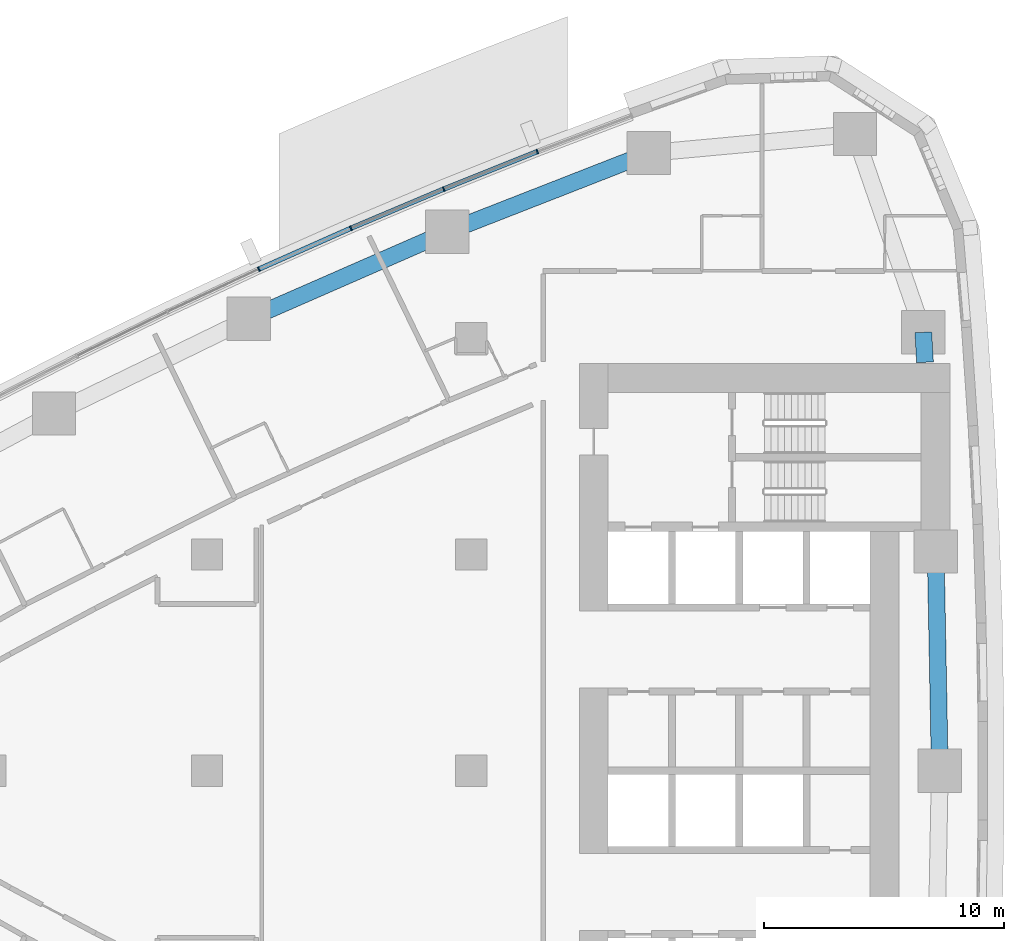
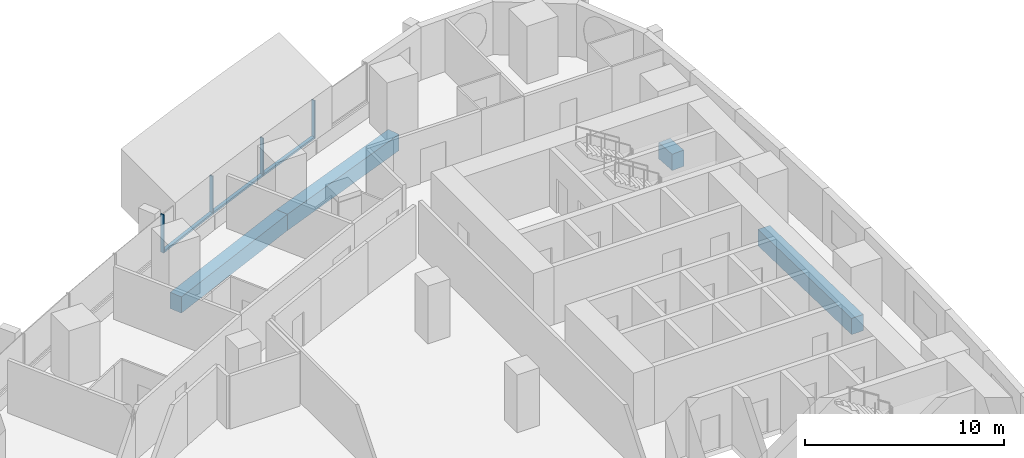
# One storey, part 6 of 19: 7 members, 4 beams, 2 elements without a shape of their own.
"""IFC4 building model written with IfcOpenShell, lengths in metres."""

import ifcopenshell
import ifcopenshell.guid

model = None  # the IFC model being written
_history = None  # IfcOwnerHistory: only IFC2X3 demands one
_inside = {}  # id of a spatial element -> (the spatial element, [elements in it])
_under = {}  # id of a project, library or spatial element -> (it, [spatial elements below it])
_declared = {}  # id of a project -> (the project, [libraries it declares])
_typed = {}  # id of a type object -> (the type object, [elements of that type])
_made_of = {}  # id of a material, layer set ... -> (it, [elements and type objects made of it])


def new_model(schema):
    """Start an empty IFC model of exactly this schema.

    Asked for "IFC4X3", IfcOpenShell would pick the latest addendum, in which some entities
    have other attributes; the version numbers below select the first issue.
    IFC2X3 requires an IfcOwnerHistory on every rooted entity: one is made here for all.
    """
    global model, _history
    if schema == "IFC4X3":
        model = ifcopenshell.file(schema_version=(4, 3, 0, 0))
    else:
        model = ifcopenshell.file(schema=schema)
    _inside.clear()
    _under.clear()
    _declared.clear()
    _typed.clear()
    _made_of.clear()
    _history = None
    if model.schema == "IFC2X3":
        org = make("IfcOrganization", Name="unknown")
        user = make(
            "IfcPersonAndOrganization",
            ThePerson=make("IfcPerson", FamilyName="unknown"),
            TheOrganization=org,
        )
        app = make(
            "IfcApplication",
            ApplicationDeveloper=org,
            Version="unknown",
            ApplicationFullName="unknown",
            ApplicationIdentifier="unknown",
        )
        _history = make(
            "IfcOwnerHistory",
            OwningUser=user,
            OwningApplication=app,
            ChangeAction="ADDED",
            CreationDate=0,
        )
    return model


def make(cls, **values):
    """One entity of the class cls with the attributes given. An attribute that is None is left unset."""
    return model.create_entity(
        cls, **{name: value for name, value in values.items() if value is not None}
    )


def rooted(cls, **values):
    """An entity with a GlobalId (a new one), such as an element, a storey or a relation."""
    return make(cls, GlobalId=ifcopenshell.guid.new(), OwnerHistory=_history, **values)


def si_unit(unit_type, name, prefix=None):
    """IfcSIUnit, for example si_unit("LENGTHUNIT", "METRE", prefix="MILLI")."""
    return make("IfcSIUnit", UnitType=unit_type, Prefix=prefix, Name=name)


def assignment(units):
    """IfcUnitAssignment: the units of a project."""
    return None if units is None else make("IfcUnitAssignment", Units=units)


def point(xyz):
    """IfcCartesianPoint."""
    return None if xyz is None else make("IfcCartesianPoint", Coordinates=xyz)


def direction(xyz):
    """IfcDirection."""
    return None if xyz is None else make("IfcDirection", DirectionRatios=xyz)


def frame(location, z_axis=None, x_axis=None):
    """IfcAxis2Placement3D, a coordinate frame: its origin and axes. An axis left out is left unset."""
    return make(
        "IfcAxis2Placement3D",
        Location=point(location),
        Axis=direction(z_axis),
        RefDirection=direction(x_axis),
    )


def frame_2d(location, x_axis=None):
    """IfcAxis2Placement2D, a coordinate frame in the plane: its origin and x axis."""
    return make(
        "IfcAxis2Placement2D", Location=point(location), RefDirection=direction(x_axis)
    )


def origin():
    """The frame at (0, 0, 0) with its axes left unset."""
    return frame((0.0, 0.0, 0.0))


def origin_2d():
    """The frame at (0, 0) in the plane with its x axis left unset."""
    return frame_2d((0.0, 0.0))


def place(relative_to, where):
    """IfcLocalPlacement: puts the frame where relative to a parent placement (None: the world)."""
    return make(
        "IfcLocalPlacement", PlacementRelTo=relative_to, RelativePlacement=where
    )


def context(
    kind, dimensions, precision=None, world=None, true_north=None, identifier=None
):
    """IfcGeometricRepresentationContext, for example the 3D "Model" context."""
    return make(
        "IfcGeometricRepresentationContext",
        ContextIdentifier=identifier,
        ContextType=kind,
        CoordinateSpaceDimension=dimensions,
        Precision=precision,
        WorldCoordinateSystem=world,
        TrueNorth=true_north,
    )


def subcontext(parent, identifier, kind, view, scale=None):
    """IfcGeometricRepresentationSubContext, for example "Body" below "Model"."""
    return make(
        "IfcGeometricRepresentationSubContext",
        ContextIdentifier=identifier,
        ContextType=kind,
        ParentContext=parent,
        TargetScale=scale,
        TargetView=view,
    )


def project(units=None, contexts=None):
    """IfcProject with its units and contexts."""
    return rooted(
        "IfcProject",
        Name="project",
        RepresentationContexts=contexts,
        UnitsInContext=assignment(units),
    )


def spatial(cls, under=None, at=None, **own):
    """A site, building, storey or space (cls), placed at a placement, below another one or the project."""
    s = rooted(cls, ObjectPlacement=at, **own)
    if under is not None:
        _under.setdefault(under.id(), (under, []))[1].append(s)
    return s


def profile(cls, at=None, kind="AREA", **sizes):
    """A parametric profile (cls). Its sizes go by their IFC names, for example OverallWidth=200.0."""
    return make(cls, ProfileType=kind, Position=at, **sizes)


def rectangle(**sizes):
    """IfcRectangleProfileDef."""
    return profile("IfcRectangleProfileDef", **sizes)


def extrude(swept, where, along, depth):
    """IfcExtrudedAreaSolid: the profile swept, set in the frame where, extruded along a direction by depth."""
    return make(
        "IfcExtrudedAreaSolid",
        SweptArea=swept,
        Position=where,
        ExtrudedDirection=direction(along),
        Depth=depth,
    )


def shape(context_of_items, identifier, shape_type, items):
    """IfcShapeRepresentation: the items that make up one representation, for example the "Body"."""
    return make(
        "IfcShapeRepresentation",
        ContextOfItems=context_of_items,
        RepresentationIdentifier=identifier,
        RepresentationType=shape_type,
        Items=items,
    )


def material(Name=None, Category=None):
    """IfcMaterial."""
    return make("IfcMaterial", Name=Name, Category=Category)


def layer(
    of_material, thickness, ventilated=None, Name=None, Category=None, Priority=None
):
    """IfcMaterialLayer: one layer of a wall or slab, of a material (None: an air gap)."""
    return make(
        "IfcMaterialLayer",
        Material=of_material,
        LayerThickness=thickness,
        IsVentilated=ventilated,
        Name=Name,
        Category=Category,
        Priority=Priority,
    )


def layer_set(layers, Name=None):
    """IfcMaterialLayerSet."""
    return make("IfcMaterialLayerSet", MaterialLayers=layers, LayerSetName=Name)


def material_profile(
    of_material, cross_section, Name=None, Category=None, Priority=None
):
    """IfcMaterialProfile: a cross section and its material."""
    return make(
        "IfcMaterialProfile",
        Name=Name,
        Material=of_material,
        Profile=cross_section,
        Priority=Priority,
        Category=Category,
    )


def profile_set(profiles, Name=None, composite=None):
    """IfcMaterialProfileSet."""
    return make(
        "IfcMaterialProfileSet",
        Name=Name,
        MaterialProfiles=profiles,
        CompositeProfile=composite,
    )


def made_of(thing, what):
    """Note that an element or type object is made of a material, layer set ...; save() writes the relation."""
    if what is not None:
        _made_of.setdefault(what.id(), (what, []))[1].append(thing)
    return thing


def type_object(cls, material=None, **own):
    """A type object (cls), such as IfcWallType, which elements share."""
    return made_of(rooted(cls, **own), material)


def element(
    cls,
    number,
    at=None,
    inside=None,
    cuts=None,
    type_object=None,
    material=None,
    context=None,
    identifier="Body",
    shape_type=None,
    held_by="IfcProductDefinitionShape",
    body=None,
    shapes=None,
    **own,
):
    """One element of the class cls, such as IfcWall. Its Tag is "e" and its number.

    at: its placement. inside: the storey or other place that contains it. cuts: it is an
    opening in that element (IfcRelVoidsElement). A single representation is given by context,
    identifier, shape_type and body (its items); several are given by shapes. held_by: the class
    of the entity that holds the representations. save() writes the other relations.
    """
    e = rooted(cls, Tag="e%d" % number, ObjectPlacement=at, **own)
    if body is not None:
        shapes = [shape(context, identifier, shape_type, body)]
    if shapes is not None:
        e.Representation = make(held_by, Representations=shapes)
    if inside is not None:
        _inside.setdefault(inside.id(), (inside, []))[1].append(e)
    if cuts is not None:
        rooted(
            "IfcRelVoidsElement", RelatingBuildingElement=cuts, RelatedOpeningElement=e
        )
    if type_object is not None:
        _typed.setdefault(type_object.id(), (type_object, []))[1].append(e)
    return made_of(e, material)


def aggregate(whole, parts):
    """IfcRelAggregates: a whole, such as a stair, and the parts it consists of."""
    return rooted("IfcRelAggregates", RelatingObject=whole, RelatedObjects=parts)


def save(model, path):
    """Write the relations noted so far, then the file.

    IfcRelAggregates (storeys below a building ...), IfcRelContainedInSpatialStructure (elements
    in a storey), IfcRelDefinesByType, IfcRelAssociatesMaterial and IfcRelDeclares: one each for
    every whole, place, type object, material and project.
    """
    for whole, parts in _under.values():
        aggregate(whole, parts)
    for where, things in _inside.values():
        rooted(
            "IfcRelContainedInSpatialStructure",
            RelatedElements=things,
            RelatingStructure=where,
        )
    for kind, things in _typed.values():
        rooted("IfcRelDefinesByType", RelatedObjects=things, RelatingType=kind)
    for what, things in _made_of.values():
        rooted("IfcRelAssociatesMaterial", RelatedObjects=things, RelatingMaterial=what)
    for by, libraries in _declared.values():
        rooted("IfcRelDeclares", RelatingContext=by, RelatedDefinitions=libraries)
    model.write(path)


model = new_model("IFC4")

# Units and contexts
model_context = context("Model", 3, precision=1e-05, world=origin(), true_north=direction((0.0, 1.0)))
body_context = subcontext(model_context, "Body", "Model", "MODEL_VIEW")
ifc_project = project(units=[si_unit("LENGTHUNIT", "METRE"), si_unit("AREAUNIT", "SQUARE_METRE"), si_unit("VOLUMEUNIT", "CUBIC_METRE"), si_unit("PLANEANGLEUNIT", "RADIAN"), si_unit("MASSUNIT", "GRAM", prefix="KILO")], contexts=[model_context])

# Site, building, storey
site_placement = place(None, origin())
site = spatial("IfcSite", under=ifc_project, at=site_placement, CompositionType="ELEMENT")
building_placement = place(site_placement, origin())
building = spatial("IfcBuilding", under=site, at=building_placement, Name="Ostrand Prow Hotel Tower", CompositionType="ELEMENT")
storey_placement = place(building_placement, frame((0.0, 0.0, 64.449951171875)))
storey = spatial("IfcBuildingStorey", under=building, at=storey_placement, Name="L14", CompositionType="ELEMENT", Elevation=64.449951171875)

# Beams
ifc_material_1 = material(Name="Concrete C80/95", Category="concrete")
ifc_material_profile_1 = material_profile(ifc_material_1, rectangle(XDim=0.699951171875, YDim=1.0, at=origin_2d()), Name="RC 700x1000")
ifc_profile_set_1 = profile_set([ifc_material_profile_1], Name="Concrete C80/95")
beam_type = type_object("IfcBeamType", Name="Edge beam 700x1000 C80/95", PredefinedType="SPANDREL", material=ifc_profile_set_1)
beam_1_placement = place(storey_placement, frame((64.5, 0.0, -0.800048828125), z_axis=(-0.018793471688, 0.999823387115, 0.0), x_axis=(-0.999823387115, -0.018793471688, 0.0)))
element("IfcBeam", 1, at=beam_1_placement, inside=storey, type_object=beam_type, Name="Edge beam B3-B4", PredefinedType="SPANDREL", context=body_context, shape_type="SweptSolid", body=[
    extrude(rectangle(XDim=0.699951171875, YDim=1.0, at=origin_2d()), origin(), (0.0, 0.0, 1.0), 9.132568359375),
])
beam_2_placement = place(storey_placement, frame((63.8837890625, 17.0, -0.800048828125), z_axis=(-0.056215946509, 0.998418633319, 0.0), x_axis=(-0.998418633319, -0.056215946509, 0.0)))
element("IfcBeam", 2, at=beam_2_placement, inside=storey, type_object=beam_type, Name="Edge beam B4-B5", PredefinedType="SPANDREL", context=body_context, shape_type="SweptSolid", body=[
    extrude(rectangle(XDim=0.699951171875, YDim=1.0, at=origin_2d()), origin(), (0.0, 0.0, 1.0), 1.250732421875),
])
for number, where, z_axis, x_axis, name in (
    (3, (52.3916015625, 25.710205078125, -0.800048828125), (-0.931329480916, -0.364177701098, 0.0), (0.364177701098, -0.931329480916, 0.0), "Edge beam N1-N2"),
    (4, (43.997802734375, 22.427978515625, -0.800048828125), (-0.916095776162, -0.400959510297, 0.0), (0.400959510297, -0.916095776162, 0.0), "Edge beam N2-N3"),
):
    element("IfcBeam", number, at=place(storey_placement, frame(where, z_axis=z_axis, x_axis=x_axis)), inside=storey, type_object=beam_type, Name=name, PredefinedType="SPANDREL", context=body_context, shape_type="SweptSolid", body=[
        extrude(rectangle(XDim=0.699951171875, YDim=1.0, at=origin_2d()), origin(), (0.0, 0.0, 1.0), 9.0126953125),
    ])

# Curtain wall, members
ifc_material_2 = material(Name="Insulated glass in bronze anodised frame", Category="glass")
ifc_layer = layer(ifc_material_2, 0.199951171875)
ifc_layer_set = layer_set([ifc_layer], Name="Insulated glass in bronze anodised frame")
curtain_wall_type = type_object("IfcCurtainWallType", Name="Strip curtain wall, fritted glass over bronze spandrel", PredefinedType="NOTDEFINED", material=ifc_layer_set)
curtain_wall_1_placement = place(storey_placement, origin())
curtain_wall_1 = element("IfcCurtainWall", 5, at=curtain_wall_1_placement, inside=storey, type_object=curtain_wall_type, Name="CW1 run CWN1", PredefinedType="NOTDEFINED")
ifc_material_3 = material(Name="Bronze anodised aluminium", Category="aluminium")
ifc_material_profile_2 = material_profile(ifc_material_3, rectangle(XDim=0.199951171875, YDim=0.06005859375, at=origin_2d()), Name="Mullion 60x200 bronze anodised aluminium")
ifc_profile_set_2 = profile_set([ifc_material_profile_2], Name="Bronze anodised aluminium")
member_type_1 = type_object("IfcMemberType", Name="Mullion 60x200 bronze anodised aluminium", PredefinedType="MULLION", material=ifc_profile_set_2)
member_1_placement = place(storey_placement, frame((47.7529296875, 25.769775390625, 0.900146484375), z_axis=(0.0, 0.0, 1.0), x_axis=(0.371873380669, -0.928283463577, 0.0)))
member_1 = element("IfcMember", 6, at=member_1_placement, type_object=member_type_1, Name="CW1 mullion 2", PredefinedType="MULLION", context=body_context, shape_type="SweptSolid", body=[
    extrude(rectangle(XDim=0.199951171875, YDim=0.06005859375, at=origin_2d()), origin(), (0.0, 0.0, 1.0), 2.349853515625),
])
member_2_placement = place(storey_placement, frame((43.859619140625, 24.210205078125, 0.900146484375), z_axis=(0.0, 0.0, 1.0), x_axis=(0.371873380669, -0.928283463577, 0.0)))
member_2 = element("IfcMember", 7, at=member_2_placement, type_object=member_type_1, Name="CW1 mullion 3", PredefinedType="MULLION", context=body_context, shape_type="SweptSolid", body=[
    extrude(rectangle(XDim=0.199951171875, YDim=0.06005859375, at=origin_2d()), origin(), (0.0, 0.0, 1.0), 2.349853515625),
])

curtain_wall_2_placement = place(storey_placement, origin())
curtain_wall_2 = element("IfcCurtainWall", 8, at=curtain_wall_2_placement, inside=storey, type_object=curtain_wall_type, Name="CW1 run CWN2", PredefinedType="NOTDEFINED")
member_3_placement = place(storey_placement, frame((39.99560546875, 22.5791015625, 0.900146484375), z_axis=(0.0, 0.0, 1.0), x_axis=(0.405779757666, -0.913970890274, 0.0)))
member_3 = element("IfcMember", 9, at=member_3_placement, type_object=member_type_1, Name="CW1 mullion 2", PredefinedType="MULLION", context=body_context, shape_type="SweptSolid", body=[
    extrude(rectangle(XDim=0.199951171875, YDim=0.06005859375, at=origin_2d()), origin(), (0.0, 0.0, 1.0), 2.349853515625),
])
member_4_placement = place(storey_placement, frame((36.162109375, 20.876953125, 0.900146484375), z_axis=(0.0, 0.0, 1.0), x_axis=(0.405779757666, -0.913970890274, 0.0)))
member_4 = element("IfcMember", 10, at=member_4_placement, type_object=member_type_1, Name="CW1 mullion 3", PredefinedType="MULLION", context=body_context, shape_type="SweptSolid", body=[
    extrude(rectangle(XDim=0.199951171875, YDim=0.06005859375, at=origin_2d()), origin(), (0.0, 0.0, 1.0), 2.349853515625),
])

# Member
ifc_material_4 = material(Name="Bronze anodised aluminium", Category="aluminium")
ifc_material_profile_3 = material_profile(ifc_material_4, rectangle(XDim=0.199951171875, YDim=0.1201171875, at=origin_2d()), Name="Transom 120x200 bronze anodised aluminium")
ifc_profile_set_3 = profile_set([ifc_material_profile_3], Name="Bronze anodised aluminium")
member_type_2 = type_object("IfcMemberType", Name="Transom 120x200 bronze anodised aluminium", PredefinedType="USERDEFINED", material=ifc_profile_set_3)
member_5_placement = place(storey_placement, frame((47.72509765625, 25.7587890625, 0.9599609375), z_axis=(-0.928264761225, -0.371920062739, 0.0), x_axis=(0.371920062739, -0.928264761225, 0.0)))
member_5 = element("IfcMember", 11, at=member_5_placement, type_object=member_type_2, Name="CW1 transom 2.1", ObjectType="TRANSOM", PredefinedType="USERDEFINED", context=body_context, shape_type="SweptSolid", body=[
    extrude(rectangle(XDim=0.199951171875, YDim=0.1201171875, at=origin_2d()), origin(), (0.0, 0.0, 1.0), 4.13427734375),
])

aggregate(curtain_wall_1, [member_1, member_2, member_5])

member_6_placement = place(storey_placement, frame((43.831787109375, 24.198486328125, 0.9599609375), z_axis=(-0.921284828297, -0.388888499637, 0.0), x_axis=(0.388888499637, -0.921284828297, 0.0)))
member_6 = element("IfcMember", 12, at=member_6_placement, type_object=member_type_2, Name="CW1 transom 1.1", ObjectType="TRANSOM", PredefinedType="USERDEFINED", context=body_context, shape_type="SweptSolid", body=[
    extrude(rectangle(XDim=0.199951171875, YDim=0.1201171875, at=origin_2d()), origin(), (0.0, 0.0, 1.0), 4.134033203125),
])

member_7_placement = place(storey_placement, frame((39.968017578125, 22.56689453125, 0.9599609375), z_axis=(-0.913957599094, -0.405809693156, 0.0), x_axis=(0.405809693156, -0.913957599094, 0.0)))
member_7 = element("IfcMember", 13, at=member_7_placement, type_object=member_type_2, Name="CW1 transom 2.1", ObjectType="TRANSOM", PredefinedType="USERDEFINED", context=body_context, shape_type="SweptSolid", body=[
    extrude(rectangle(XDim=0.199951171875, YDim=0.1201171875, at=origin_2d()), origin(), (0.0, 0.0, 1.0), 4.13427734375),
])

aggregate(curtain_wall_2, [member_3, member_4, member_6, member_7])

save(model, "model.ifc")
